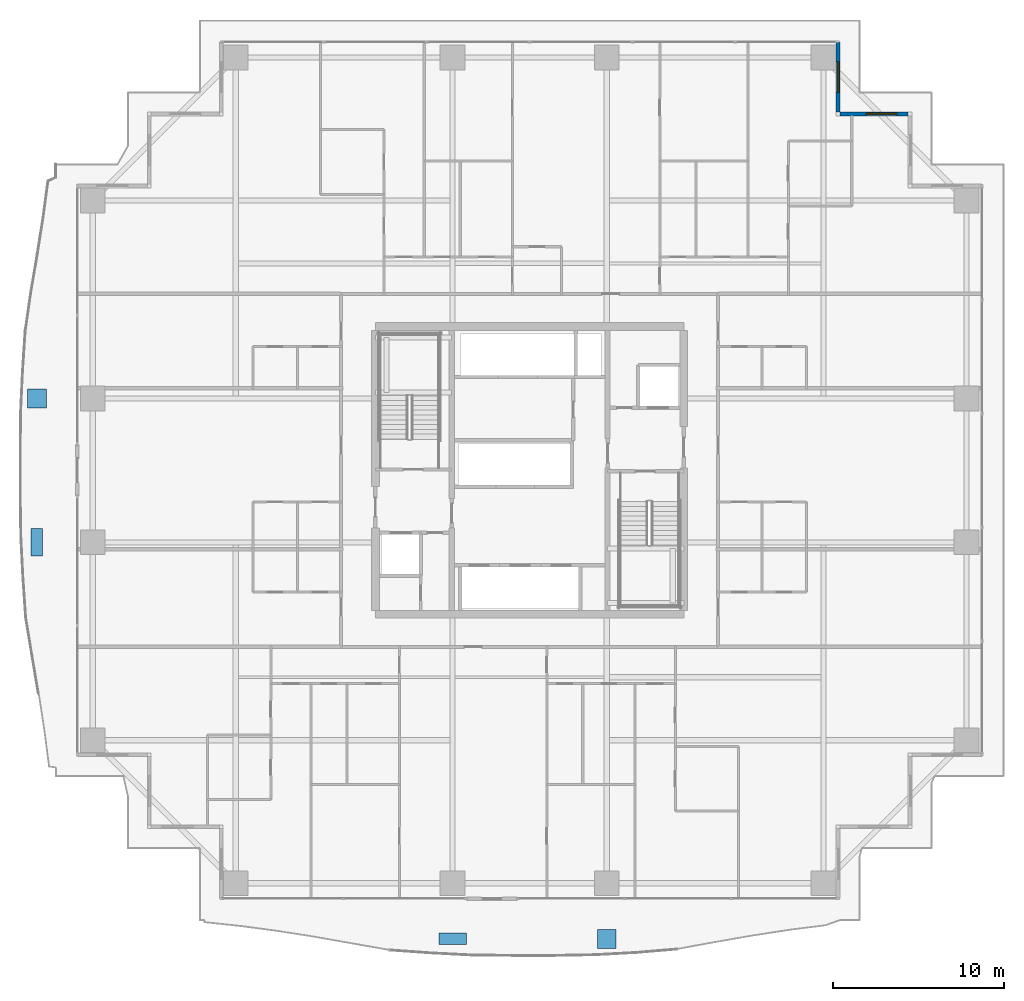
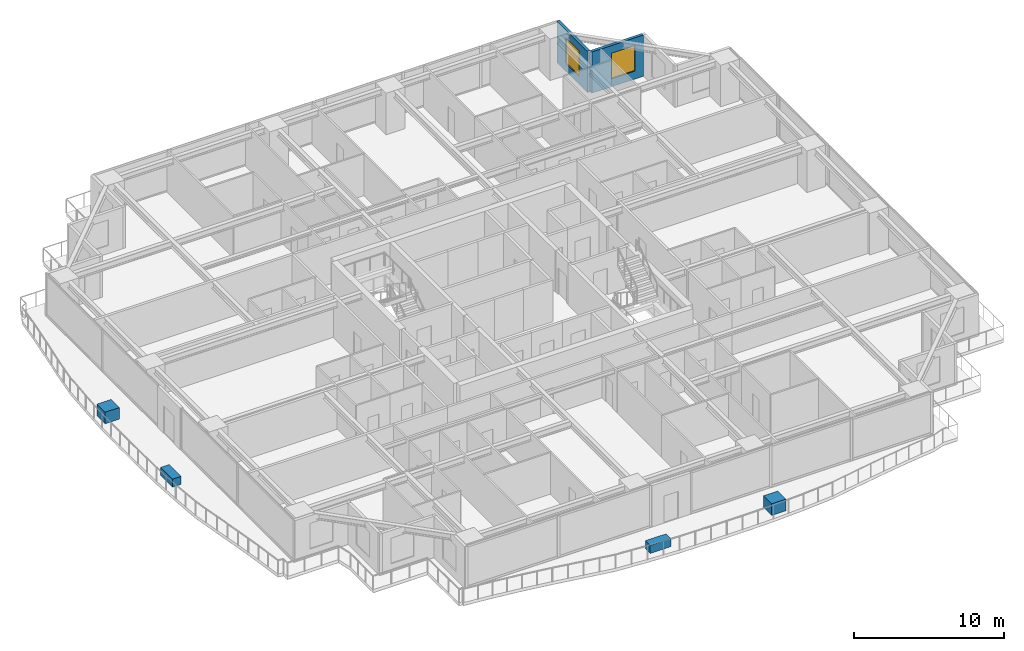
# One storey, part 32 of 40: 4 discrete accessories, 2 walls, 2 windows, 2 openings.
"""IFC4 building model written with IfcOpenShell, lengths in metres."""

import ifcopenshell
import ifcopenshell.guid

model = None  # the IFC model being written
_history = None  # IfcOwnerHistory: only IFC2X3 demands one
_inside = {}  # id of a spatial element -> (the spatial element, [elements in it])
_under = {}  # id of a project, library or spatial element -> (it, [spatial elements below it])
_declared = {}  # id of a project -> (the project, [libraries it declares])
_typed = {}  # id of a type object -> (the type object, [elements of that type])
_made_of = {}  # id of a material, layer set ... -> (it, [elements and type objects made of it])


def new_model(schema):
    """Start an empty IFC model of exactly this schema.

    Asked for "IFC4X3", IfcOpenShell would pick the latest addendum, in which some entities
    have other attributes; the version numbers below select the first issue.
    IFC2X3 requires an IfcOwnerHistory on every rooted entity: one is made here for all.
    """
    global model, _history
    if schema == "IFC4X3":
        model = ifcopenshell.file(schema_version=(4, 3, 0, 0))
    else:
        model = ifcopenshell.file(schema=schema)
    _inside.clear()
    _under.clear()
    _declared.clear()
    _typed.clear()
    _made_of.clear()
    _history = None
    if model.schema == "IFC2X3":
        org = make("IfcOrganization", Name="unknown")
        user = make(
            "IfcPersonAndOrganization",
            ThePerson=make("IfcPerson", FamilyName="unknown"),
            TheOrganization=org,
        )
        app = make(
            "IfcApplication",
            ApplicationDeveloper=org,
            Version="unknown",
            ApplicationFullName="unknown",
            ApplicationIdentifier="unknown",
        )
        _history = make(
            "IfcOwnerHistory",
            OwningUser=user,
            OwningApplication=app,
            ChangeAction="ADDED",
            CreationDate=0,
        )
    return model


def make(cls, **values):
    """One entity of the class cls with the attributes given. An attribute that is None is left unset."""
    return model.create_entity(
        cls, **{name: value for name, value in values.items() if value is not None}
    )


def rooted(cls, **values):
    """An entity with a GlobalId (a new one), such as an element, a storey or a relation."""
    return make(cls, GlobalId=ifcopenshell.guid.new(), OwnerHistory=_history, **values)


def si_unit(unit_type, name, prefix=None):
    """IfcSIUnit, for example si_unit("LENGTHUNIT", "METRE", prefix="MILLI")."""
    return make("IfcSIUnit", UnitType=unit_type, Prefix=prefix, Name=name)


def assignment(units):
    """IfcUnitAssignment: the units of a project."""
    return None if units is None else make("IfcUnitAssignment", Units=units)


def point(xyz):
    """IfcCartesianPoint."""
    return None if xyz is None else make("IfcCartesianPoint", Coordinates=xyz)


def direction(xyz):
    """IfcDirection."""
    return None if xyz is None else make("IfcDirection", DirectionRatios=xyz)


def frame(location, z_axis=None, x_axis=None):
    """IfcAxis2Placement3D, a coordinate frame: its origin and axes. An axis left out is left unset."""
    return make(
        "IfcAxis2Placement3D",
        Location=point(location),
        Axis=direction(z_axis),
        RefDirection=direction(x_axis),
    )


def frame_2d(location, x_axis=None):
    """IfcAxis2Placement2D, a coordinate frame in the plane: its origin and x axis."""
    return make(
        "IfcAxis2Placement2D", Location=point(location), RefDirection=direction(x_axis)
    )


def origin():
    """The frame at (0, 0, 0) with its axes left unset."""
    return frame((0.0, 0.0, 0.0))


def origin_2d():
    """The frame at (0, 0) in the plane with its x axis left unset."""
    return frame_2d((0.0, 0.0))


def place(relative_to, where):
    """IfcLocalPlacement: puts the frame where relative to a parent placement (None: the world)."""
    return make(
        "IfcLocalPlacement", PlacementRelTo=relative_to, RelativePlacement=where
    )


def context(
    kind, dimensions, precision=None, world=None, true_north=None, identifier=None
):
    """IfcGeometricRepresentationContext, for example the 3D "Model" context."""
    return make(
        "IfcGeometricRepresentationContext",
        ContextIdentifier=identifier,
        ContextType=kind,
        CoordinateSpaceDimension=dimensions,
        Precision=precision,
        WorldCoordinateSystem=world,
        TrueNorth=true_north,
    )


def subcontext(parent, identifier, kind, view, scale=None):
    """IfcGeometricRepresentationSubContext, for example "Body" below "Model"."""
    return make(
        "IfcGeometricRepresentationSubContext",
        ContextIdentifier=identifier,
        ContextType=kind,
        ParentContext=parent,
        TargetScale=scale,
        TargetView=view,
    )


def project(units=None, contexts=None):
    """IfcProject with its units and contexts."""
    return rooted(
        "IfcProject",
        Name="project",
        RepresentationContexts=contexts,
        UnitsInContext=assignment(units),
    )


def spatial(cls, under=None, at=None, **own):
    """A site, building, storey or space (cls), placed at a placement, below another one or the project."""
    s = rooted(cls, ObjectPlacement=at, **own)
    if under is not None:
        _under.setdefault(under.id(), (under, []))[1].append(s)
    return s


def profile(cls, at=None, kind="AREA", **sizes):
    """A parametric profile (cls). Its sizes go by their IFC names, for example OverallWidth=200.0."""
    return make(cls, ProfileType=kind, Position=at, **sizes)


def rectangle(**sizes):
    """IfcRectangleProfileDef."""
    return profile("IfcRectangleProfileDef", **sizes)


def extrude(swept, where, along, depth):
    """IfcExtrudedAreaSolid: the profile swept, set in the frame where, extruded along a direction by depth."""
    return make(
        "IfcExtrudedAreaSolid",
        SweptArea=swept,
        Position=where,
        ExtrudedDirection=direction(along),
        Depth=depth,
    )


def shape(context_of_items, identifier, shape_type, items):
    """IfcShapeRepresentation: the items that make up one representation, for example the "Body"."""
    return make(
        "IfcShapeRepresentation",
        ContextOfItems=context_of_items,
        RepresentationIdentifier=identifier,
        RepresentationType=shape_type,
        Items=items,
    )


def source(mapping_origin, context_of_items, identifier, shape_type, items):
    """IfcRepresentationMap: a shape defined once, which mapped items show again and again."""
    return make(
        "IfcRepresentationMap",
        MappingOrigin=mapping_origin,
        MappedRepresentation=shape(context_of_items, identifier, shape_type, items),
    )


def transform(
    local_origin,
    x_axis=None,
    y_axis=None,
    z_axis=None,
    scale=None,
    scale2=None,
    scale3=None,
    uniform=True,
):
    """IfcCartesianTransformationOperator3D, or its non-uniform kind. x_axis, y_axis, z_axis: its Axis1, 2, 3."""
    if uniform:
        return make(
            "IfcCartesianTransformationOperator3D",
            Axis1=direction(x_axis),
            Axis2=direction(y_axis),
            LocalOrigin=point(local_origin),
            Scale=scale,
            Axis3=direction(z_axis),
        )
    return make(
        "IfcCartesianTransformationOperator3DnonUniform",
        Axis1=direction(x_axis),
        Axis2=direction(y_axis),
        LocalOrigin=point(local_origin),
        Scale=scale,
        Axis3=direction(z_axis),
        Scale2=scale2,
        Scale3=scale3,
    )


def mapped(mapping_source, mapping_target):
    """IfcMappedItem: shows the shape of a source again, moved by a transform."""
    return make(
        "IfcMappedItem", MappingSource=mapping_source, MappingTarget=mapping_target
    )


def material(Name=None, Category=None):
    """IfcMaterial."""
    return make("IfcMaterial", Name=Name, Category=Category)


def layer(
    of_material, thickness, ventilated=None, Name=None, Category=None, Priority=None
):
    """IfcMaterialLayer: one layer of a wall or slab, of a material (None: an air gap)."""
    return make(
        "IfcMaterialLayer",
        Material=of_material,
        LayerThickness=thickness,
        IsVentilated=ventilated,
        Name=Name,
        Category=Category,
        Priority=Priority,
    )


def layer_set(layers, Name=None):
    """IfcMaterialLayerSet."""
    return make("IfcMaterialLayerSet", MaterialLayers=layers, LayerSetName=Name)


def made_of(thing, what):
    """Note that an element or type object is made of a material, layer set ...; save() writes the relation."""
    if what is not None:
        _made_of.setdefault(what.id(), (what, []))[1].append(thing)
    return thing


def type_object(cls, material=None, **own):
    """A type object (cls), such as IfcWallType, which elements share."""
    return made_of(rooted(cls, **own), material)


def element(
    cls,
    number,
    at=None,
    inside=None,
    cuts=None,
    type_object=None,
    material=None,
    context=None,
    identifier="Body",
    shape_type=None,
    held_by="IfcProductDefinitionShape",
    body=None,
    shapes=None,
    **own,
):
    """One element of the class cls, such as IfcWall. Its Tag is "e" and its number.

    at: its placement. inside: the storey or other place that contains it. cuts: it is an
    opening in that element (IfcRelVoidsElement). A single representation is given by context,
    identifier, shape_type and body (its items); several are given by shapes. held_by: the class
    of the entity that holds the representations. save() writes the other relations.
    """
    e = rooted(cls, Tag="e%d" % number, ObjectPlacement=at, **own)
    if body is not None:
        shapes = [shape(context, identifier, shape_type, body)]
    if shapes is not None:
        e.Representation = make(held_by, Representations=shapes)
    if inside is not None:
        _inside.setdefault(inside.id(), (inside, []))[1].append(e)
    if cuts is not None:
        rooted(
            "IfcRelVoidsElement", RelatingBuildingElement=cuts, RelatedOpeningElement=e
        )
    if type_object is not None:
        _typed.setdefault(type_object.id(), (type_object, []))[1].append(e)
    return made_of(e, material)


def fill(opening, filler):
    """IfcRelFillsElement: the door or window that sits in an opening."""
    return rooted(
        "IfcRelFillsElement",
        RelatingOpeningElement=opening,
        RelatedBuildingElement=filler,
    )


def aggregate(whole, parts):
    """IfcRelAggregates: a whole, such as a stair, and the parts it consists of."""
    return rooted("IfcRelAggregates", RelatingObject=whole, RelatedObjects=parts)


def save(model, path):
    """Write the relations noted so far, then the file.

    IfcRelAggregates (storeys below a building ...), IfcRelContainedInSpatialStructure (elements
    in a storey), IfcRelDefinesByType, IfcRelAssociatesMaterial and IfcRelDeclares: one each for
    every whole, place, type object, material and project.
    """
    for whole, parts in _under.values():
        aggregate(whole, parts)
    for where, things in _inside.values():
        rooted(
            "IfcRelContainedInSpatialStructure",
            RelatedElements=things,
            RelatingStructure=where,
        )
    for kind, things in _typed.values():
        rooted("IfcRelDefinesByType", RelatedObjects=things, RelatingType=kind)
    for what, things in _made_of.values():
        rooted("IfcRelAssociatesMaterial", RelatedObjects=things, RelatingMaterial=what)
    for by, libraries in _declared.values():
        rooted("IfcRelDeclares", RelatingContext=by, RelatedDefinitions=libraries)
    model.write(path)


model = new_model("IFC4")

# Units and contexts
model_context = context("Model", 3, precision=1e-05, world=origin(), true_north=direction((0.0, 1.0)))
body_context = subcontext(model_context, "Body", "Model", "MODEL_VIEW")
ifc_project = project(units=[si_unit("LENGTHUNIT", "METRE"), si_unit("AREAUNIT", "SQUARE_METRE"), si_unit("VOLUMEUNIT", "CUBIC_METRE"), si_unit("PLANEANGLEUNIT", "RADIAN"), si_unit("MASSUNIT", "GRAM", prefix="KILO")], contexts=[model_context])

# Site, building, storey
site_placement = place(None, origin())
site = spatial("IfcSite", under=ifc_project, at=site_placement, CompositionType="ELEMENT")
building_placement = place(site_placement, origin())
building = spatial("IfcBuilding", under=site, at=building_placement, Name="Serunith Strait Residences", CompositionType="ELEMENT")
storey_placement = place(building_placement, frame((0.0, 0.0, 105.449951171875)))
storey = spatial("IfcBuildingStorey", under=building, at=storey_placement, Name="L26", CompositionType="ELEMENT", Elevation=105.449951171875)

# Wall, opening, window
ifc_material_1 = material(Name="Pale-Champagne Aluminium Insulated Panel", Category="aluminium")
ifc_layer = layer(ifc_material_1, 0.219970703125, Name="Pale-Champagne Aluminium Insulated Panel")
ifc_layer_set = layer_set([ifc_layer], Name="Pale-Champagne Aluminium Insulated Panel")
wall_type = type_object("IfcWallType", Name="EW-ALUM-220", PredefinedType="ELEMENTEDWALL", material=ifc_layer_set)
wall_1_placement = place(storey_placement, frame((54.489990234375, 46.0, 0.0), z_axis=(0.0, 0.0, 1.0), x_axis=(-1.0, 0.0, 0.0)))
wall_1 = element("IfcWall", 1, at=wall_1_placement, inside=storey, type_object=wall_type, Name="L26 Girih Serrated Corner Wall 09", PredefinedType="ELEMENTEDWALL", context=body_context, shape_type="SweptSolid", body=[
    extrude(rectangle(XDim=3.97998046875, YDim=0.219970703125, at=frame_2d((1.989990234375, 0.0))), origin(), (0.0, 0.0, 1.0), 3.375),
])
opening_1_placement = place(wall_1_placement, frame((0.654052734375, 0.0, 0.64990234375)))
opening_1 = element("IfcOpeningElement", 2, at=opening_1_placement, cuts=wall_1, Name="Opening W-01", PredefinedType="OPENING", context=body_context, shape_type="SweptSolid", body=[
    extrude(rectangle(XDim=1.800048828125, YDim=2.10009765625, at=frame_2d((0.89990234375, 1.050048828125))), frame((0.0, 0.1201171875, 0.0), z_axis=(0.0, -1.0, 0.0), x_axis=(1.0, 0.0, 0.0)), (0.0, 0.0, 1.0), 0.239990234375),
])
ifc_material_2 = material(Name="Ceramic-Fritted Operable Aluminium Window Glass", Category="aluminium")
window_type = type_object("IfcWindowType", Name="WIN-C1", PartitioningType="DOUBLE_PANEL_VERTICAL", PredefinedType="WINDOW", material=ifc_material_2)
shared_shape_1 = source(origin(), body_context, "Body", "SweptSolid", [
    extrude(rectangle(XDim=1.800048828125, YDim=2.10009765625, at=frame_2d((0.89990234375, 1.050048828125))), frame((0.0, 0.030029296875, 0.0), z_axis=(0.0, -1.0, 0.0), x_axis=(1.0, 0.0, 0.0)), (0.0, 0.0, 1.0), 0.06005859375),
])
window_1_placement = place(opening_1_placement, origin())
window_1 = element("IfcWindow", 3, at=window_1_placement, inside=storey, type_object=window_type, Name="L26 Corner Operable Fritted Window 09", OverallHeight=2.10009765625, OverallWidth=1.800048828125, PartitioningType="SINGLE_PANEL", PredefinedType="WINDOW", context=body_context, shape_type="MappedRepresentation", body=[
    mapped(shared_shape_1, transform((0.0, 0.0, 0.0), scale=1.0)),
])
fill(opening_1, window_1)

wall_2_placement = place(storey_placement, frame((50.39990234375, 46.110107421875, 0.0), z_axis=(0.0, 0.0, 1.0), x_axis=(0.0, 1.0, 0.0)))
wall_2 = element("IfcWall", 4, at=wall_2_placement, inside=storey, type_object=wall_type, Name="L26 Girih Serrated Corner Wall 10", PredefinedType="ELEMENTEDWALL", context=body_context, shape_type="SweptSolid", body=[
    extrude(rectangle(XDim=4.08984375, YDim=0.219970703125, at=frame_2d((2.044921875, 0.0))), origin(), (0.0, 0.0, 1.0), 3.375),
])
opening_2_placement = place(wall_2_placement, frame((1.14501953125, 0.0, 0.64990234375)))
opening_2 = element("IfcOpeningElement", 5, at=opening_2_placement, cuts=wall_2, Name="Opening W-01", PredefinedType="OPENING", context=body_context, shape_type="SweptSolid", body=[
    extrude(rectangle(XDim=1.800048828125, YDim=2.10009765625, at=frame_2d((0.89990234375, 1.050048828125))), frame((0.0, 0.1201171875, 0.0), z_axis=(0.0, -1.0, 0.0), x_axis=(1.0, 0.0, 0.0)), (0.0, 0.0, 1.0), 0.239990234375),
])
window_2_placement = place(opening_2_placement, origin())
window_2 = element("IfcWindow", 6, at=window_2_placement, inside=storey, type_object=window_type, Name="L26 Corner Operable Fritted Window 10", OverallHeight=2.10009765625, OverallWidth=1.800048828125, PartitioningType="SINGLE_PANEL", PredefinedType="WINDOW", context=body_context, shape_type="MappedRepresentation", body=[
    mapped(shared_shape_1, transform((0.0, 0.0, 0.0), scale=1.0)),
])
fill(opening_2, window_2)

# Discrete accessories
ifc_material_3 = material(Name="GFRC Root-Anchored Structural Planter")
discrete_accessory_type_1 = type_object("IfcDiscreteAccessoryType", Name="ACC-PLANTER-TREE", PredefinedType="USERDEFINED", material=ifc_material_3)
shared_shape_2 = source(origin(), body_context, "Body", "SweptSolid", [
    extrude(rectangle(XDim=1.10009765625, YDim=1.10009765625, at=origin_2d()), origin(), (0.0, 0.0, 1.0), 0.949951171875),
])
for number, where, z_axis, x_axis, name in (
    (7, (36.89990234375, -2.140380859375, -0.0498046875), (0.0, 0.0, 1.0), (1.0, 0.0, 0.0), "L26 Vertical-Forest Tree Planter 03"),
    (8, (3.639404296875, 29.39990234375, -0.0498046875), (0.0, 0.0, 1.0), (0.0, -1.0, 0.0), "L26 Vertical-Forest Tree Planter 15"),
):
    element("IfcDiscreteAccessory", number, at=place(storey_placement, frame(where, z_axis=z_axis, x_axis=x_axis)), inside=storey, type_object=discrete_accessory_type_1, Name=name, ObjectType="PLANTER", PredefinedType="USERDEFINED", context=body_context, shape_type="MappedRepresentation", body=[
        mapped(shared_shape_2, transform((0.0, 0.0, 0.0), scale=1.0)),
    ])
ifc_material_4 = material(Name="GFRC Irrigated Shrub Trough Planter")
discrete_accessory_type_2 = type_object("IfcDiscreteAccessoryType", Name="ACC-PLANTER-SHRUB", PredefinedType="USERDEFINED", material=ifc_material_4)
shared_shape_3 = source(origin(), body_context, "Body", "SweptSolid", [
    extrude(rectangle(XDim=1.60009765625, YDim=0.64990234375, at=origin_2d()), origin(), (0.0, 0.0, 1.0), 0.64990234375),
])
for number, where, z_axis, x_axis, name in (
    (9, (27.89990234375, -2.1357421875, -0.0498046875), (0.0, 0.0, 1.0), (1.0, 0.0, 0.0), "L26 Vertical-Forest Shrub Planter 02"),
    (10, (3.634033203125, 21.0, -0.0498046875), (0.0, 0.0, 1.0), (0.0, -1.0, 0.0), "L26 Vertical-Forest Shrub Planter 14"),
):
    element("IfcDiscreteAccessory", number, at=place(storey_placement, frame(where, z_axis=z_axis, x_axis=x_axis)), inside=storey, type_object=discrete_accessory_type_2, Name=name, ObjectType="PLANTER", PredefinedType="USERDEFINED", context=body_context, shape_type="MappedRepresentation", body=[
        mapped(shared_shape_3, transform((0.0, 0.0, 0.0), scale=1.0)),
    ])

save(model, "model.ifc")
